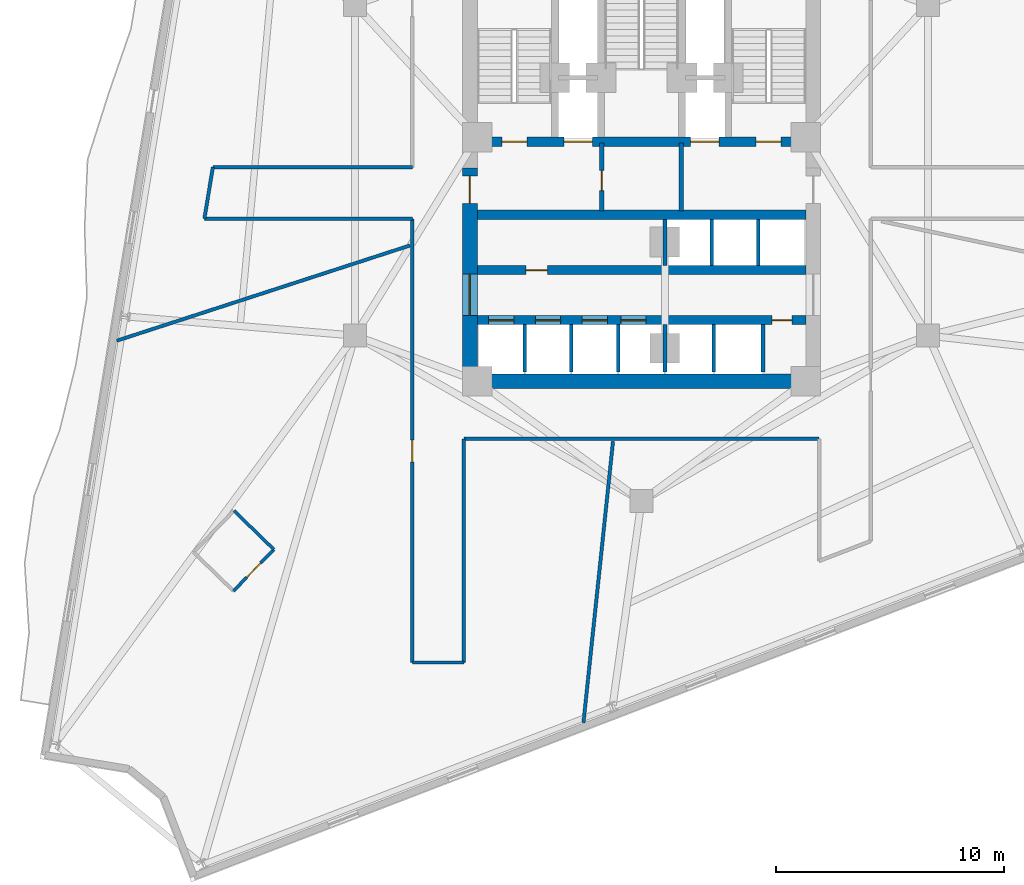
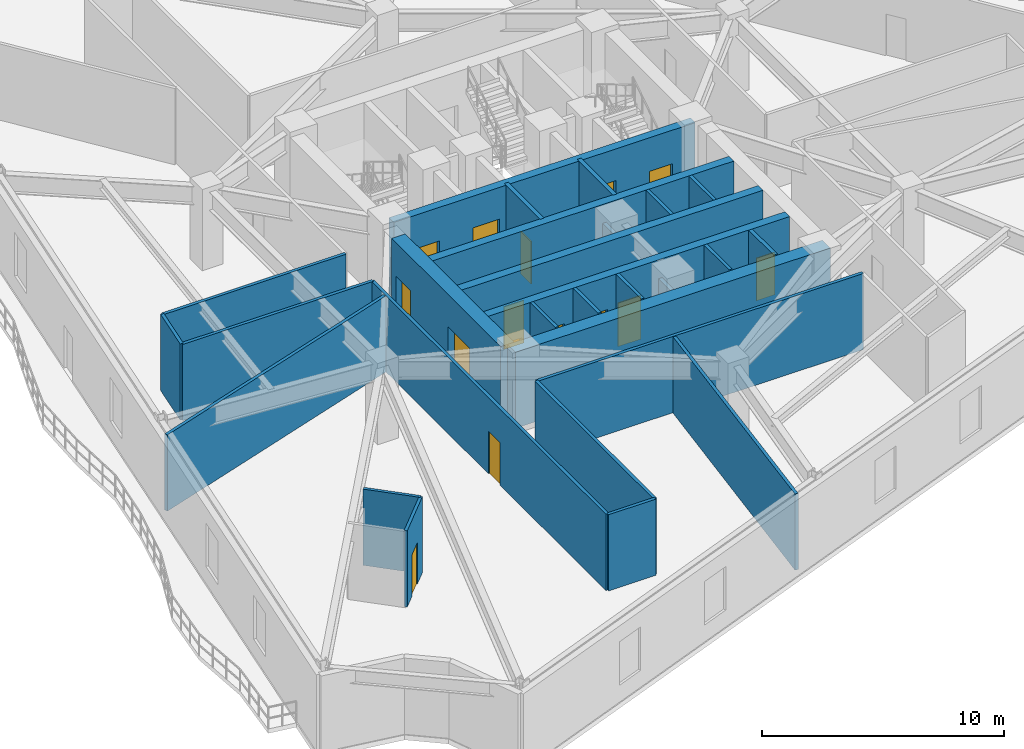
# One storey, part 4 of 10: 28 walls, 15 doors, 15 openings.
"""IFC4 building model written with IfcOpenShell, lengths in metres."""

from ifc_helpers import new_model, si_unit, direction, frame, frame_2d, origin, place, context, subcontext, project, spatial, rectangle, extrude, material, layer, layer_set, type_object, element, fill, save


model = new_model("IFC4")

# Units and contexts
model_context = context("Model", 3, precision=1e-05, world=origin(), true_north=direction((0.0, 1.0)))
body_context = subcontext(model_context, "Body", "Model", "MODEL_VIEW")
ifc_project = project(units=[si_unit("LENGTHUNIT", "METRE"), si_unit("AREAUNIT", "SQUARE_METRE"), si_unit("VOLUMEUNIT", "CUBIC_METRE"), si_unit("PLANEANGLEUNIT", "RADIAN"), si_unit("MASSUNIT", "GRAM", prefix="KILO")], contexts=[model_context])

# Site, building, storey
site_placement = place(None, origin())
site = spatial("IfcSite", under=ifc_project, at=site_placement, CompositionType="ELEMENT")
building_placement = place(site_placement, origin())
building = spatial("IfcBuilding", under=site, at=building_placement, Name="Apsidion Concourse Tower", CompositionType="ELEMENT")
storey_placement = place(building_placement, frame((0.0, 0.0, 152.699951171875)))
storey = spatial("IfcBuildingStorey", under=building, at=storey_placement, Name="L35", CompositionType="ELEMENT", Elevation=152.699951171875)

# Wall, opening, door
ifc_material_1 = material(Name="Gypsum plasterboard partition")
ifc_layer_1 = layer(ifc_material_1, 0.139892578125)
ifc_layer_set_1 = layer_set([ifc_layer_1], Name="Gypsum plasterboard partition")
wall_type_1 = type_object("IfcWallType", Name="WL-INT-PAR-140", PredefinedType="PARTITIONING", material=ifc_layer_set_1)
wall_1_placement = place(storey_placement, frame((-17.889892578125, -18.447021484375, 0.0), z_axis=(0.0, 0.0, 1.0), x_axis=(0.697137410878, 0.71693753588, 0.0)))
wall_1 = element("IfcWall", 1, at=wall_1_placement, inside=storey, type_object=wall_type_1, Name="L35 Interior Partition WL-L35-POD-OFAWC-S3", PredefinedType="PARTITIONING", context=body_context, shape_type="SweptSolid", body=[
    extrude(rectangle(XDim=2.5400390625, YDim=0.139892578125, at=frame_2d((1.27001953125, 0.0))), origin(), (0.0, 0.0, 1.0), 3.85009765625),
])
opening_1_placement = place(wall_1_placement, frame((0.830078125, 0.0, 0.0)))
opening_1 = element("IfcOpeningElement", 2, at=opening_1_placement, cuts=wall_1, Name="Opening D-03R", PredefinedType="OPENING", context=body_context, shape_type="SweptSolid", body=[
    extrude(rectangle(XDim=0.8798828125, YDim=2.10009765625, at=frame_2d((0.43994140625, 1.050048828125))), frame((0.0, 0.080078125, 0.0), z_axis=(0.0, -1.0, 0.0), x_axis=(1.0, 0.0, 0.0)), (0.0, 0.0, 1.0), 0.159912109375),
])
ifc_material_2 = material(Name="Anodised aluminium EN AW-6063 T6", Category="aluminium")
door_type_1 = type_object("IfcDoorType", Name="DR-INT-D03R", OperationType="SINGLE_SWING_RIGHT", PredefinedType="DOOR", material=ifc_material_2)
door_1_placement = place(opening_1_placement, origin())
door_1 = element("IfcDoor", 3, at=door_1_placement, inside=storey, type_object=door_type_1, Name="L35 Office Accessible WC Door OFAWC", OperationType="SINGLE_SWING_RIGHT", OverallHeight=2.10009765625, OverallWidth=0.8798828125, PredefinedType="DOOR", context=body_context, shape_type="SweptSolid", body=[
    extrude(rectangle(XDim=0.8798828125, YDim=2.10009765625, at=frame_2d((0.43994140625, 1.050048828125))), frame((0.0, 0.02490234375, 0.0), z_axis=(0.0, -1.0, 0.0), x_axis=(1.0, 0.0, 0.0)), (0.0, 0.0, 1.0), 0.050048828125),
])
fill(opening_1, door_1)

# Walls
wall_2_placement = place(storey_placement, frame((-16.119140625, -16.6259765625, 0.0), z_axis=(0.0, 0.0, 1.0), x_axis=(-0.716893506895, 0.697182687515, 0.0)))
element("IfcWall", 4, at=wall_2_placement, inside=storey, type_object=wall_type_1, Name="L35 Interior Partition WL-L35-POD-OFAWC-S4", PredefinedType="PARTITIONING", context=body_context, shape_type="SweptSolid", body=[
    extrude(rectangle(XDim=2.440185546875, YDim=0.139892578125, at=frame_2d((1.22021484375, 0.0))), origin(), (0.0, 0.0, 1.0), 3.85009765625),
])
ifc_layer_2 = layer(ifc_material_1, 0.14990234375)
ifc_layer_set_2 = layer_set([ifc_layer_2], Name="Gypsum plasterboard partition")
wall_type_2 = type_object("IfcWallType", Name="WL-INT-PAR-150", PredefinedType="PARTITIONING", material=ifc_layer_set_2)
for number, where, z_axis, x_axis, name in (
    (5, (3.074951171875, -4.179931640625, 0.0), (0.0, 0.0, 1.0), (0.0, 1.0, 0.0), "L35 Interior Partition WL-L35-B3DIV-1"),
    (6, (5.125, -4.179931640625, 0.0), (0.0, 0.0, 1.0), (0.0, 1.0, 0.0), "L35 Interior Partition WL-L35-B3DIV-2"),
):
    element("IfcWall", number, at=place(storey_placement, frame(where, z_axis=z_axis, x_axis=x_axis)), inside=storey, type_object=wall_type_2, Name=name, PredefinedType="PARTITIONING", context=body_context, shape_type="SweptSolid", body=[
        extrude(rectangle(XDim=2.030029296875, YDim=0.14990234375, at=frame_2d((1.01513671875, 0.0))), origin(), (0.0, 0.0, 1.0), 3.85009765625),
    ])
for number, where, z_axis, x_axis, name in (
    (7, (-5.125, -8.85009765625, 0.0), (0.0, 0.0, 1.0), (0.0, 1.0, 0.0), "L35 Interior Partition WL-L35-B2DIV-1"),
    (8, (-3.074951171875, -8.85009765625, 0.0), (0.0, 0.0, 1.0), (0.0, 1.0, 0.0), "L35 Interior Partition WL-L35-B2DIV-2"),
    (9, (-1.02490234375, -8.85009765625, 0.0), (0.0, 0.0, 1.0), (0.0, 1.0, 0.0), "L35 Interior Partition WL-L35-B2DIV-3"),
    (10, (3.175048828125, -8.85009765625, 0.0), (0.0, 0.0, 1.0), (0.0, 1.0, 0.0), "L35 Interior Partition WL-L35-SHDIV-1"),
):
    element("IfcWall", number, at=place(storey_placement, frame(where, z_axis=z_axis, x_axis=x_axis)), inside=storey, type_object=wall_type_2, Name=name, PredefinedType="PARTITIONING", context=body_context, shape_type="SweptSolid", body=[
        extrude(rectangle(XDim=2.080078125, YDim=0.14990234375, at=frame_2d((1.0400390625, 0.0))), origin(), (0.0, 0.0, 1.0), 3.85009765625),
    ])
wall_3_placement = place(storey_placement, frame((7.7900390625, -11.77490234375, 0.0), z_axis=(0.0, 0.0, 1.0), x_axis=(-1.0, 0.0, 0.0)))
element("IfcWall", 11, at=wall_3_placement, inside=storey, type_object=wall_type_2, Name="L35 Interior Partition WL-L35-CORR-03", PredefinedType="PARTITIONING", context=body_context, shape_type="SweptSolid", body=[
    extrude(rectangle(XDim=15.580078125, YDim=0.14990234375, at=frame_2d((7.7900390625, 0.0))), origin(), (0.0, 0.0, 1.0), 3.85009765625),
])
wall_4_placement = place(storey_placement, frame((-7.7900390625, -11.77490234375, 0.0), z_axis=(0.0, 0.0, 1.0), x_axis=(0.0, -1.0, 0.0)))
element("IfcWall", 12, at=wall_4_placement, inside=storey, type_object=wall_type_2, Name="L35 Interior Partition WL-L35-CORR-04", PredefinedType="PARTITIONING", context=body_context, shape_type="SweptSolid", body=[
    extrude(rectangle(XDim=9.80517578125, YDim=0.14990234375, at=frame_2d((4.902587890625, 0.0))), origin(), (0.0, 0.0, 1.0), 3.85009765625),
])
wall_5_placement = place(storey_placement, frame((-7.7900390625, -21.580078125, 0.0), z_axis=(0.0, 0.0, 1.0), x_axis=(-1.0, 0.0, 0.0)))
element("IfcWall", 13, at=wall_5_placement, inside=storey, type_object=wall_type_2, Name="L35 Interior Partition WL-L35-CORR-05", PredefinedType="PARTITIONING", context=body_context, shape_type="SweptSolid", body=[
    extrude(rectangle(XDim=2.260009765625, YDim=0.14990234375, at=frame_2d((1.1298828125, 0.0))), origin(), (0.0, 0.0, 1.0), 3.85009765625),
])

# Wall, opening, door
wall_6_placement = place(storey_placement, frame((-10.050048828125, -21.580078125, 0.0), z_axis=(0.0, 0.0, 1.0), x_axis=(0.0, 1.0, 0.0)))
wall_6 = element("IfcWall", 14, at=wall_6_placement, inside=storey, type_object=wall_type_2, Name="L35 Interior Partition WL-L35-CORR-06", PredefinedType="PARTITIONING", context=body_context, shape_type="SweptSolid", body=[
    extrude(rectangle(XDim=19.4501953125, YDim=0.14990234375, at=frame_2d((9.72509765625, 0.0))), origin(), (0.0, 0.0, 1.0), 3.85009765625),
])
opening_2_placement = place(wall_6_placement, frame((8.794921875, 0.0, 0.0)))
opening_2 = element("IfcOpeningElement", 15, at=opening_2_placement, cuts=wall_6, Name="Opening D-01L", PredefinedType="OPENING", context=body_context, shape_type="SweptSolid", body=[
    extrude(rectangle(XDim=0.949951171875, YDim=2.14990234375, at=frame_2d((0.47509765625, 1.074951171875))), frame((0.0, 0.0849609375, 0.0), z_axis=(0.0, -1.0, 0.0), x_axis=(1.0, 0.0, 0.0)), (0.0, 0.0, 1.0), 0.169921875),
])
ifc_material_3 = material(Name="Brushed stainless steel 316", Category="steel")
door_type_2 = type_object("IfcDoorType", Name="DR-INT-D01L", OperationType="SINGLE_SWING_LEFT", PredefinedType="DOOR", material=ifc_material_3)
door_2_placement = place(opening_2_placement, origin())
door_2 = element("IfcDoor", 16, at=door_2_placement, inside=storey, type_object=door_type_2, Name="L35 Corridor Entry Door 01", OperationType="SINGLE_SWING_LEFT", OverallHeight=2.14990234375, OverallWidth=0.949951171875, PredefinedType="DOOR", context=body_context, shape_type="SweptSolid", body=[
    extrude(rectangle(XDim=0.949951171875, YDim=2.14990234375, at=frame_2d((0.47509765625, 1.074951171875))), frame((0.0, 0.02490234375, 0.0), z_axis=(0.0, -1.0, 0.0), x_axis=(1.0, 0.0, 0.0)), (0.0, 0.0, 1.0), 0.050048828125),
])
fill(opening_2, door_2)

# Walls
wall_7_placement = place(storey_placement, frame((-10.050048828125, -2.1298828125, 0.0), z_axis=(0.0, 0.0, 1.0), x_axis=(-1.0, 0.0, 0.0)))
element("IfcWall", 17, at=wall_7_placement, inside=storey, type_object=wall_type_2, Name="L35 Interior Partition WL-L35-CORR-07", PredefinedType="PARTITIONING", context=body_context, shape_type="SweptSolid", body=[
    extrude(rectangle(XDim=9.1142578125, YDim=0.14990234375, at=frame_2d((4.55712890625, 0.0))), origin(), (0.0, 0.0, 1.0), 3.85009765625),
])
wall_8_placement = place(storey_placement, frame((-19.164306640625, -2.1298828125, 0.0), z_axis=(0.0, 0.0, 1.0), x_axis=(0.161943522339, 0.986800028158, 0.0)))
element("IfcWall", 18, at=wall_8_placement, inside=storey, type_object=wall_type_2, Name="L35 Interior Partition WL-L35-CORR-08", PredefinedType="PARTITIONING", context=body_context, shape_type="SweptSolid", body=[
    extrude(rectangle(XDim=2.2900390625, YDim=0.14990234375, at=frame_2d((1.14501953125, 0.0))), origin(), (0.0, 0.0, 1.0), 3.85009765625),
])
wall_9_placement = place(storey_placement, frame((-18.79345703125, 0.1298828125, 0.0), z_axis=(0.0, 0.0, 1.0), x_axis=(1.0, 0.0, 0.0)))
element("IfcWall", 19, at=wall_9_placement, inside=storey, type_object=wall_type_2, Name="L35 Interior Partition WL-L35-CORR-09", PredefinedType="PARTITIONING", context=body_context, shape_type="SweptSolid", body=[
    extrude(rectangle(XDim=8.743408203125, YDim=0.14990234375, at=frame_2d((4.37158203125, 0.0))), origin(), (0.0, 0.0, 1.0), 3.85009765625),
])
wall_10_placement = place(storey_placement, frame((-10.155029296875, -3.299560546875, 0.0), z_axis=(0.0, 0.0, 1.0), x_axis=(-0.951054655994, -0.309022719735, 0.0)))
element("IfcWall", 20, at=wall_10_placement, inside=storey, type_object=wall_type_2, Name="L35 Interior Partition WL-L35-RAD-03-1", PredefinedType="PARTITIONING", context=body_context, shape_type="SweptSolid", body=[
    extrude(rectangle(XDim=13.506591796875, YDim=0.14990234375, at=frame_2d((6.75341796875, 0.0))), origin(), (0.0, 0.0, 1.0), 3.85009765625),
])
wall_11_placement = place(storey_placement, frame((-1.24853515625, -11.8798828125, 0.0), z_axis=(0.0, 0.0, 1.0), x_axis=(-0.104537323766, -0.994520964052, 0.0)))
element("IfcWall", 21, at=wall_11_placement, inside=storey, type_object=wall_type_2, Name="L35 Interior Partition WL-L35-RAD-04-1", PredefinedType="PARTITIONING", context=body_context, shape_type="SweptSolid", body=[
    extrude(rectangle(XDim=12.41064453125, YDim=0.14990234375, at=frame_2d((6.205322265625, 0.0))), origin(), (0.0, 0.0, 1.0), 3.85009765625),
])
ifc_layer_3 = layer(ifc_material_1, 0.179931640625)
ifc_layer_set_3 = layer_set([ifc_layer_3], Name="Gypsum plasterboard partition")
wall_type_3 = type_object("IfcWallType", Name="WL-INT-PAR-180", PredefinedType="PARTITIONING", material=ifc_layer_set_3)
wall_12_placement = place(storey_placement, frame((1.02490234375, -4.179931640625, 0.0), z_axis=(0.0, 0.0, 1.0), x_axis=(0.0, 1.0, 0.0)))
element("IfcWall", 22, at=wall_12_placement, inside=storey, type_object=wall_type_3, Name="L35 Interior Partition WL-L35-B1END", PredefinedType="PARTITIONING", context=body_context, shape_type="SweptSolid", body=[
    extrude(rectangle(XDim=2.030029296875, YDim=0.179931640625, at=frame_2d((1.01513671875, 0.0))), origin(), (0.0, 0.0, 1.0), 2.89794921875),
])
wall_13_placement = place(storey_placement, frame((1.02490234375, -8.85009765625, 0.0), z_axis=(0.0, 0.0, 1.0), x_axis=(0.0, 1.0, 0.0)))
element("IfcWall", 23, at=wall_13_placement, inside=storey, type_object=wall_type_3, Name="L35 Interior Partition WL-L35-B2END", PredefinedType="PARTITIONING", context=body_context, shape_type="SweptSolid", body=[
    extrude(rectangle(XDim=2.080078125, YDim=0.179931640625, at=frame_2d((1.0400390625, 0.0))), origin(), (0.0, 0.0, 1.0), 2.89794921875),
])
wall_14_placement = place(storey_placement, frame((5.324951171875, -8.85009765625, 0.0), z_axis=(0.0, 0.0, 1.0), x_axis=(0.0, 1.0, 0.0)))
element("IfcWall", 24, at=wall_14_placement, inside=storey, type_object=wall_type_3, Name="L35 Interior Partition WL-L35-SHDIV-2", PredefinedType="PARTITIONING", context=body_context, shape_type="SweptSolid", body=[
    extrude(rectangle(XDim=2.080078125, YDim=0.179931640625, at=frame_2d((1.0400390625, 0.0))), origin(), (0.0, 0.0, 1.0), 3.85009765625),
])

# Wall, opening, door
ifc_layer_4 = layer(ifc_material_1, 0.199951171875)
ifc_layer_set_4 = layer_set([ifc_layer_4], Name="Gypsum plasterboard partition")
wall_type_4 = type_object("IfcWallType", Name="WL-INT-PAR-200", PredefinedType="PARTITIONING", material=ifc_layer_set_4)
wall_15_placement = place(storey_placement, frame((-1.739990234375, -1.780029296875, 0.0), z_axis=(0.0, 0.0, 1.0), x_axis=(0.0, 1.0, 0.0)))
wall_15 = element("IfcWall", 25, at=wall_15_placement, inside=storey, type_object=wall_type_4, Name="L35 Interior Partition WL-L35-FF1-E", PredefinedType="PARTITIONING", context=body_context, shape_type="SweptSolid", body=[
    extrude(rectangle(XDim=2.97998046875, YDim=0.199951171875, at=frame_2d((1.489990234375, 0.0))), origin(), (0.0, 0.0, 1.0), 3.85009765625),
])
opening_3_placement = place(wall_15_placement, frame((0.889892578125, 0.0, 0.0)))
opening_3 = element("IfcOpeningElement", 26, at=opening_3_placement, cuts=wall_15, Name="Opening D-05R", PredefinedType="OPENING", context=body_context, shape_type="SweptSolid", body=[
    extrude(rectangle(XDim=0.8798828125, YDim=2.14990234375, at=frame_2d((0.43994140625, 1.074951171875))), frame((0.0, 0.10986328125, 0.0), z_axis=(0.0, -1.0, 0.0), x_axis=(1.0, 0.0, 0.0)), (0.0, 0.0, 1.0), 0.219970703125),
])
door_type_3 = type_object("IfcDoorType", Name="DR-INT-D05R", OperationType="SINGLE_SWING_RIGHT", PredefinedType="DOOR", material=ifc_material_3)
door_3_placement = place(opening_3_placement, origin())
door_3 = element("IfcDoor", 27, at=door_3_placement, inside=storey, type_object=door_type_3, Name="L35 Core BMS Door", OperationType="SINGLE_SWING_RIGHT", OverallHeight=2.14990234375, OverallWidth=0.8798828125, PredefinedType="DOOR", context=body_context, shape_type="SweptSolid", body=[
    extrude(rectangle(XDim=0.8798828125, YDim=2.14990234375, at=frame_2d((0.43994140625, 1.074951171875))), frame((0.0, 0.02490234375, 0.0), z_axis=(0.0, -1.0, 0.0), x_axis=(1.0, 0.0, 0.0)), (0.0, 0.0, 1.0), 0.050048828125),
])
fill(opening_3, door_3)

# Wall
wall_16_placement = place(storey_placement, frame((1.739990234375, -1.780029296875, 0.0), z_axis=(0.0, 0.0, 1.0), x_axis=(0.0, 1.0, 0.0)))
element("IfcWall", 28, at=wall_16_placement, inside=storey, type_object=wall_type_4, Name="L35 Interior Partition WL-L35-FF2-W", PredefinedType="PARTITIONING", context=body_context, shape_type="SweptSolid", body=[
    extrude(rectangle(XDim=2.97998046875, YDim=0.199951171875, at=frame_2d((1.489990234375, 0.0))), origin(), (0.0, 0.0, 1.0), 3.85009765625),
])

# Wall, openings, doors
ifc_material_4 = material(Name="Concrete C50/60", Category="concrete")
ifc_layer_5 = layer(ifc_material_4, 0.39990234375)
ifc_layer_set_5 = layer_set([ifc_layer_5], Name="Concrete C50/60")
wall_type_5 = type_object("IfcWallType", Name="WL-SH-400", PredefinedType="SHEAR", material=ifc_layer_set_5)
wall_17_placement = place(storey_placement, frame((-7.199951171875, 1.25, 0.0), z_axis=(0.0, 0.0, 1.0), x_axis=(1.0, 0.0, 0.0)))
wall_17 = element("IfcWall", 29, at=wall_17_placement, inside=storey, type_object=wall_type_5, Name="L35 Central Core Shear Wall M1", PredefinedType="SHEAR", context=body_context, shape_type="SweptSolid", body=[
    extrude(rectangle(XDim=14.39990234375, YDim=0.39990234375, at=frame_2d((7.199951171875, 0.0))), origin(), (0.0, 0.0, 1.0), 3.85009765625),
])
opening_4_placement = place(wall_17_placement, frame((3.794921875, 0.0, 0.0)))
opening_4 = element("IfcOpeningElement", 30, at=opening_4_placement, cuts=wall_17, Name="Opening LD-FF", PredefinedType="OPENING", context=body_context, shape_type="SweptSolid", body=[
    extrude(rectangle(XDim=1.25, YDim=2.25, at=frame_2d((0.625, 1.125))), frame((0.0, 0.2099609375, 0.0), z_axis=(0.0, -1.0, 0.0), x_axis=(1.0, 0.0, 0.0)), (0.0, 0.0, 1.0), 0.419921875),
])
opening_5_placement = place(wall_17_placement, frame((9.35498046875, 0.0, 0.0)))
opening_5 = element("IfcOpeningElement", 31, at=opening_5_placement, cuts=wall_17, Name="Opening LD-FF", PredefinedType="OPENING", context=body_context, shape_type="SweptSolid", body=[
    extrude(rectangle(XDim=1.25, YDim=2.25, at=frame_2d((0.625, 1.125))), frame((0.0, 0.2099609375, 0.0), z_axis=(0.0, -1.0, 0.0), x_axis=(1.0, 0.0, 0.0)), (0.0, 0.0, 1.0), 0.419921875),
])
opening_6_placement = place(wall_17_placement, frame((1.074951171875, 0.0, 0.0)))
opening_6 = element("IfcOpeningElement", 32, at=opening_6_placement, cuts=wall_17, Name="Opening D-STL", PredefinedType="OPENING", context=body_context, shape_type="SweptSolid", body=[
    extrude(rectangle(XDim=1.10009765625, YDim=2.14990234375, at=frame_2d((0.550048828125, 1.074951171875))), frame((0.0, 0.2099609375, 0.0), z_axis=(0.0, -1.0, 0.0), x_axis=(1.0, 0.0, 0.0)), (0.0, 0.0, 1.0), 0.419921875),
])
opening_7_placement = place(wall_17_placement, frame((12.22509765625, 0.0, 0.0)))
opening_7 = element("IfcOpeningElement", 33, at=opening_7_placement, cuts=wall_17, Name="Opening D-STR", PredefinedType="OPENING", context=body_context, shape_type="SweptSolid", body=[
    extrude(rectangle(XDim=1.10009765625, YDim=2.14990234375, at=frame_2d((0.550048828125, 1.074951171875))), frame((0.0, 0.2099609375, 0.0), z_axis=(0.0, -1.0, 0.0), x_axis=(1.0, 0.0, 0.0)), (0.0, 0.0, 1.0), 0.419921875),
])
door_type_4 = type_object("IfcDoorType", Name="DR-INT-ST1L", OperationType="SINGLE_SWING_LEFT", PredefinedType="DOOR", material=ifc_material_3)
door_4_placement = place(opening_6_placement, origin())
door_4 = element("IfcDoor", 34, at=door_4_placement, inside=storey, type_object=door_type_4, Name="L35 Core Exit Stair ST1 Door", OperationType="SINGLE_SWING_LEFT", OverallHeight=2.14990234375, OverallWidth=1.10009765625, PredefinedType="DOOR", context=body_context, shape_type="SweptSolid", body=[
    extrude(rectangle(XDim=1.10009765625, YDim=2.14990234375, at=frame_2d((0.550048828125, 1.074951171875))), frame((0.0, 0.02490234375, 0.0), z_axis=(0.0, -1.0, 0.0), x_axis=(1.0, 0.0, 0.0)), (0.0, 0.0, 1.0), 0.050048828125),
])
fill(opening_6, door_4)
door_type_5 = type_object("IfcDoorType", Name="DR-INT-ST1R", OperationType="SINGLE_SWING_RIGHT", PredefinedType="DOOR", material=ifc_material_3)
door_5_placement = place(opening_7_placement, origin())
door_5 = element("IfcDoor", 35, at=door_5_placement, inside=storey, type_object=door_type_5, Name="L35 Core Exit Stair ST2 Door", OperationType="SINGLE_SWING_RIGHT", OverallHeight=2.14990234375, OverallWidth=1.10009765625, PredefinedType="DOOR", context=body_context, shape_type="SweptSolid", body=[
    extrude(rectangle(XDim=1.10009765625, YDim=2.14990234375, at=frame_2d((0.550048828125, 1.074951171875))), frame((0.0, 0.02490234375, 0.0), z_axis=(0.0, -1.0, 0.0), x_axis=(1.0, 0.0, 0.0)), (0.0, 0.0, 1.0), 0.050048828125),
])
fill(opening_7, door_5)
door_type_6 = type_object("IfcDoorType", Name="DR-LD-FSAE", OperationType="DOUBLE_DOOR_SLIDING", PredefinedType="DOOR", material=ifc_material_3)
door_6_placement = place(opening_4_placement, origin())
door_6 = element("IfcDoor", 36, at=door_6_placement, inside=storey, type_object=door_type_6, Name="L35 Lift Landing Door FF1", OperationType="DOUBLE_DOOR_SLIDING", OverallHeight=2.25, OverallWidth=1.25, PredefinedType="DOOR", context=body_context, shape_type="SweptSolid", body=[
    extrude(rectangle(XDim=1.25, YDim=2.25, at=frame_2d((0.625, 1.125))), frame((0.0, 0.02490234375, 0.0), z_axis=(0.0, -1.0, 0.0), x_axis=(1.0, 0.0, 0.0)), (0.0, 0.0, 1.0), 0.050048828125),
])
fill(opening_4, door_6)
door_7_placement = place(opening_5_placement, origin())
door_7 = element("IfcDoor", 37, at=door_7_placement, inside=storey, type_object=door_type_6, Name="L35 Lift Landing Door FF2", OperationType="DOUBLE_DOOR_SLIDING", OverallHeight=2.25, OverallWidth=1.25, PredefinedType="DOOR", context=body_context, shape_type="SweptSolid", body=[
    extrude(rectangle(XDim=1.25, YDim=2.25, at=frame_2d((0.625, 1.125))), frame((0.0, 0.02490234375, 0.0), z_axis=(0.0, -1.0, 0.0), x_axis=(1.0, 0.0, 0.0)), (0.0, 0.0, 1.0), 0.050048828125),
])
fill(opening_5, door_7)

# Wall
wall_18_placement = place(storey_placement, frame((-7.199951171875, -1.949951171875, 0.0), z_axis=(0.0, 0.0, 1.0), x_axis=(1.0, 0.0, 0.0)))
element("IfcWall", 38, at=wall_18_placement, inside=storey, type_object=wall_type_5, Name="L35 Central Core Shear Wall M2", PredefinedType="SHEAR", context=body_context, shape_type="SweptSolid", body=[
    extrude(rectangle(XDim=14.39990234375, YDim=0.39990234375, at=frame_2d((7.199951171875, 0.0))), origin(), (0.0, 0.0, 1.0), 3.85009765625),
])

# Wall, opening, door
wall_19_placement = place(storey_placement, frame((-7.199951171875, -4.3798828125, 0.0), z_axis=(0.0, 0.0, 1.0), x_axis=(1.0, 0.0, 0.0)))
wall_19 = element("IfcWall", 39, at=wall_19_placement, inside=storey, type_object=wall_type_5, Name="L35 Central Core Shear Wall LA", PredefinedType="SHEAR", context=body_context, shape_type="SweptSolid", body=[
    extrude(rectangle(XDim=14.39990234375, YDim=0.39990234375, at=frame_2d((7.199951171875, 0.0))), origin(), (0.0, 0.0, 1.0), 3.85009765625),
])
opening_8_placement = place(wall_19_placement, frame((2.125, 0.0, 0.0)))
opening_8 = element("IfcOpeningElement", 40, at=opening_8_placement, cuts=wall_19, Name="Opening D-04L", PredefinedType="OPENING", context=body_context, shape_type="SweptSolid", body=[
    extrude(rectangle(XDim=0.949951171875, YDim=2.14990234375, at=frame_2d((0.47509765625, 1.074951171875))), frame((0.0, 0.2099609375, 0.0), z_axis=(0.0, -1.0, 0.0), x_axis=(1.0, 0.0, 0.0)), (0.0, 0.0, 1.0), 0.419921875),
])
door_type_7 = type_object("IfcDoorType", Name="DR-INT-D04L", OperationType="SINGLE_SWING_LEFT", PredefinedType="DOOR", material=ifc_material_3)
door_8_placement = place(opening_8_placement, origin())
door_8 = element("IfcDoor", 41, at=door_8_placement, inside=storey, type_object=door_type_7, Name="L35 Tenant Archive and Print Room Door", OperationType="SINGLE_SWING_LEFT", OverallHeight=2.14990234375, OverallWidth=0.949951171875, PredefinedType="DOOR", context=body_context, shape_type="SweptSolid", body=[
    extrude(rectangle(XDim=0.949951171875, YDim=2.14990234375, at=frame_2d((0.47509765625, 1.074951171875))), frame((0.0, 0.02490234375, 0.0), z_axis=(0.0, -1.0, 0.0), x_axis=(1.0, 0.0, 0.0)), (0.0, 0.0, 1.0), 0.050048828125),
])
fill(opening_8, door_8)

# Wall, openings, doors
wall_20_placement = place(storey_placement, frame((-7.199951171875, -6.570068359375, 0.0), z_axis=(0.0, 0.0, 1.0), x_axis=(1.0, 0.0, 0.0)))
wall_20 = element("IfcWall", 42, at=wall_20_placement, inside=storey, type_object=wall_type_5, Name="L35 Central Core Shear Wall LB", PredefinedType="SHEAR", context=body_context, shape_type="SweptSolid", body=[
    extrude(rectangle(XDim=14.39990234375, YDim=0.39990234375, at=frame_2d((7.199951171875, 0.0))), origin(), (0.0, 0.0, 1.0), 3.85009765625),
])
opening_9_placement = place(wall_20_placement, frame((0.5, 0.0, 0.0)))
opening_9 = element("IfcOpeningElement", 43, at=opening_9_placement, cuts=wall_20, Name="Opening LD-P1", PredefinedType="OPENING", context=body_context, shape_type="SweptSolid", body=[
    extrude(rectangle(XDim=1.10009765625, YDim=2.199951171875, at=frame_2d((0.550048828125, 1.10009765625))), frame((0.0, 0.2099609375, 0.0), z_axis=(0.0, -1.0, 0.0), x_axis=(1.0, 0.0, 0.0)), (0.0, 0.0, 1.0), 0.419921875),
])
opening_10_placement = place(wall_20_placement, frame((2.550048828125, 0.0, 0.0)))
opening_10 = element("IfcOpeningElement", 44, at=opening_10_placement, cuts=wall_20, Name="Opening LD-P1", PredefinedType="OPENING", context=body_context, shape_type="SweptSolid", body=[
    extrude(rectangle(XDim=1.10009765625, YDim=2.199951171875, at=frame_2d((0.550048828125, 1.10009765625))), frame((0.0, 0.2099609375, 0.0), z_axis=(0.0, -1.0, 0.0), x_axis=(1.0, 0.0, 0.0)), (0.0, 0.0, 1.0), 0.419921875),
])
opening_11_placement = place(wall_20_placement, frame((4.60009765625, 0.0, 0.0)))
opening_11 = element("IfcOpeningElement", 45, at=opening_11_placement, cuts=wall_20, Name="Opening LD-P1", PredefinedType="OPENING", context=body_context, shape_type="SweptSolid", body=[
    extrude(rectangle(XDim=1.10009765625, YDim=2.199951171875, at=frame_2d((0.550048828125, 1.10009765625))), frame((0.0, 0.2099609375, 0.0), z_axis=(0.0, -1.0, 0.0), x_axis=(1.0, 0.0, 0.0)), (0.0, 0.0, 1.0), 0.419921875),
])
opening_12_placement = place(wall_20_placement, frame((6.300048828125, 0.0, 0.0)))
opening_12 = element("IfcOpeningElement", 46, at=opening_12_placement, cuts=wall_20, Name="Opening LD-P1", PredefinedType="OPENING", context=body_context, shape_type="SweptSolid", body=[
    extrude(rectangle(XDim=1.10009765625, YDim=2.199951171875, at=frame_2d((0.550048828125, 1.10009765625))), frame((0.0, 0.2099609375, 0.0), z_axis=(0.0, -1.0, 0.0), x_axis=(1.0, 0.0, 0.0)), (0.0, 0.0, 1.0), 0.419921875),
])
opening_13_placement = place(wall_20_placement, frame((12.909912109375, 0.0, 0.0)))
opening_13 = element("IfcOpeningElement", 47, at=opening_13_placement, cuts=wall_20, Name="Opening D-05L", PredefinedType="OPENING", context=body_context, shape_type="SweptSolid", body=[
    extrude(rectangle(XDim=0.8798828125, YDim=2.14990234375, at=frame_2d((0.43994140625, 1.074951171875))), frame((0.0, 0.2099609375, 0.0), z_axis=(0.0, -1.0, 0.0), x_axis=(1.0, 0.0, 0.0)), (0.0, 0.0, 1.0), 0.419921875),
])
door_type_8 = type_object("IfcDoorType", Name="DR-INT-D05L", OperationType="SINGLE_SWING_LEFT", PredefinedType="DOOR", material=ifc_material_3)
door_9_placement = place(opening_13_placement, origin())
door_9 = element("IfcDoor", 48, at=door_9_placement, inside=storey, type_object=door_type_8, Name="L35 Cleaners Store Door", OperationType="SINGLE_SWING_LEFT", OverallHeight=2.14990234375, OverallWidth=0.8798828125, PredefinedType="DOOR", context=body_context, shape_type="SweptSolid", body=[
    extrude(rectangle(XDim=0.8798828125, YDim=2.14990234375, at=frame_2d((0.43994140625, 1.074951171875))), frame((0.0, 0.02490234375, 0.0), z_axis=(0.0, -1.0, 0.0), x_axis=(1.0, 0.0, 0.0)), (0.0, 0.0, 1.0), 0.050048828125),
])
fill(opening_13, door_9)
door_type_9 = type_object("IfcDoorType", Name="DR-LD-PASS", OperationType="DOUBLE_DOOR_SLIDING", PredefinedType="DOOR", material=ifc_material_3)
door_10_placement = place(opening_9_placement, origin())
door_10 = element("IfcDoor", 49, at=door_10_placement, inside=storey, type_object=door_type_9, Name="L35 Lift Landing Door P5", OperationType="DOUBLE_DOOR_SLIDING", OverallHeight=2.199951171875, OverallWidth=1.10009765625, PredefinedType="DOOR", context=body_context, shape_type="SweptSolid", body=[
    extrude(rectangle(XDim=1.10009765625, YDim=2.199951171875, at=frame_2d((0.550048828125, 1.10009765625))), frame((0.0, 0.02490234375, 0.0), z_axis=(0.0, -1.0, 0.0), x_axis=(1.0, 0.0, 0.0)), (0.0, 0.0, 1.0), 0.050048828125),
])
fill(opening_9, door_10)
door_11_placement = place(opening_10_placement, origin())
door_11 = element("IfcDoor", 50, at=door_11_placement, inside=storey, type_object=door_type_9, Name="L35 Lift Landing Door P6", OperationType="DOUBLE_DOOR_SLIDING", OverallHeight=2.199951171875, OverallWidth=1.10009765625, PredefinedType="DOOR", context=body_context, shape_type="SweptSolid", body=[
    extrude(rectangle(XDim=1.10009765625, YDim=2.199951171875, at=frame_2d((0.550048828125, 1.10009765625))), frame((0.0, 0.02490234375, 0.0), z_axis=(0.0, -1.0, 0.0), x_axis=(1.0, 0.0, 0.0)), (0.0, 0.0, 1.0), 0.050048828125),
])
fill(opening_10, door_11)
door_12_placement = place(opening_11_placement, origin())
door_12 = element("IfcDoor", 51, at=door_12_placement, inside=storey, type_object=door_type_9, Name="L35 Lift Landing Door P7", OperationType="DOUBLE_DOOR_SLIDING", OverallHeight=2.199951171875, OverallWidth=1.10009765625, PredefinedType="DOOR", context=body_context, shape_type="SweptSolid", body=[
    extrude(rectangle(XDim=1.10009765625, YDim=2.199951171875, at=frame_2d((0.550048828125, 1.10009765625))), frame((0.0, 0.02490234375, 0.0), z_axis=(0.0, -1.0, 0.0), x_axis=(1.0, 0.0, 0.0)), (0.0, 0.0, 1.0), 0.050048828125),
])
fill(opening_11, door_12)
door_13_placement = place(opening_12_placement, origin())
door_13 = element("IfcDoor", 52, at=door_13_placement, inside=storey, type_object=door_type_9, Name="L35 Lift Landing Door P8", OperationType="DOUBLE_DOOR_SLIDING", OverallHeight=2.199951171875, OverallWidth=1.10009765625, PredefinedType="DOOR", context=body_context, shape_type="SweptSolid", body=[
    extrude(rectangle(XDim=1.10009765625, YDim=2.199951171875, at=frame_2d((0.550048828125, 1.10009765625))), frame((0.0, 0.02490234375, 0.0), z_axis=(0.0, -1.0, 0.0), x_axis=(1.0, 0.0, 0.0)), (0.0, 0.0, 1.0), 0.050048828125),
])
fill(opening_12, door_13)

ifc_layer_6 = layer(ifc_material_4, 0.64990234375)
ifc_layer_set_6 = layer_set([ifc_layer_6], Name="Concrete C50/60")
wall_type_6 = type_object("IfcWallType", Name="WL-SH-650", PredefinedType="SHEAR", material=ifc_layer_set_6)
wall_21_placement = place(storey_placement, frame((-7.52490234375, -8.925048828125, 0.0), z_axis=(0.0, 0.0, 1.0), x_axis=(0.0, 1.0, 0.0)))
wall_21 = element("IfcWall", 53, at=wall_21_placement, inside=storey, type_object=wall_type_6, Name="L35 Central Core Shear Wall WS", PredefinedType="SHEAR", context=body_context, shape_type="SweptSolid", body=[
    extrude(rectangle(XDim=9.025146484375, YDim=0.64990234375, at=frame_2d((4.5126953125, 0.0))), origin(), (0.0, 0.0, 1.0), 3.85009765625),
])
opening_14_placement = place(wall_21_placement, frame((2.56494140625, 0.0, 0.0)))
opening_14 = element("IfcOpeningElement", 54, at=opening_14_placement, cuts=wall_21, Name="Opening D-06D", PredefinedType="OPENING", context=body_context, shape_type="SweptSolid", body=[
    extrude(rectangle(XDim=1.800048828125, YDim=2.199951171875, at=frame_2d((0.89990234375, 1.10009765625))), frame((0.0, 0.3349609375, 0.0), z_axis=(0.0, -1.0, 0.0), x_axis=(1.0, 0.0, 0.0)), (0.0, 0.0, 1.0), 0.669921875),
])
opening_15_placement = place(wall_21_placement, frame((7.47509765625, 0.0, 0.0)))
opening_15 = element("IfcOpeningElement", 55, at=opening_15_placement, cuts=wall_21, Name="Opening D-FFL", PredefinedType="OPENING", context=body_context, shape_type="SweptSolid", body=[
    extrude(rectangle(XDim=1.199951171875, YDim=2.14990234375, at=frame_2d((0.60009765625, 1.074951171875))), frame((0.0, 0.3349609375, 0.0), z_axis=(0.0, -1.0, 0.0), x_axis=(1.0, 0.0, 0.0)), (0.0, 0.0, 1.0), 0.669921875),
])
door_type_10 = type_object("IfcDoorType", Name="DR-INT-D06D", OperationType="DOUBLE_DOOR_SINGLE_SWING", PredefinedType="DOOR", material=ifc_material_3)
door_14_placement = place(opening_14_placement, origin())
door_14 = element("IfcDoor", 56, at=door_14_placement, inside=storey, type_object=door_type_10, Name="L35 Passenger Lift Lobby WS Portal Door", OperationType="DOUBLE_DOOR_SINGLE_SWING", OverallHeight=2.199951171875, OverallWidth=1.800048828125, PredefinedType="DOOR", context=body_context, shape_type="SweptSolid", body=[
    extrude(rectangle(XDim=1.800048828125, YDim=2.199951171875, at=frame_2d((0.89990234375, 1.10009765625))), frame((0.0, 0.02490234375, 0.0), z_axis=(0.0, -1.0, 0.0), x_axis=(1.0, 0.0, 0.0)), (0.0, 0.0, 1.0), 0.050048828125),
])
fill(opening_14, door_14)
door_type_11 = type_object("IfcDoorType", Name="DR-INT-FFL", OperationType="SINGLE_SWING_LEFT", PredefinedType="DOOR", material=ifc_material_3)
door_15_placement = place(opening_15_placement, origin())
door_15 = element("IfcDoor", 57, at=door_15_placement, inside=storey, type_object=door_type_11, Name="L35 Firefighting Lift Lobby FF1 Door", OperationType="SINGLE_SWING_LEFT", OverallHeight=2.14990234375, OverallWidth=1.199951171875, PredefinedType="DOOR", context=body_context, shape_type="SweptSolid", body=[
    extrude(rectangle(XDim=1.199951171875, YDim=2.14990234375, at=frame_2d((0.60009765625, 1.074951171875))), frame((0.0, 0.02490234375, 0.0), z_axis=(0.0, -1.0, 0.0), x_axis=(1.0, 0.0, 0.0)), (0.0, 0.0, 1.0), 0.050048828125),
])
fill(opening_15, door_15)

# Wall
wall_22_placement = place(storey_placement, frame((-7.52490234375, -9.25, 0.0), z_axis=(0.0, 0.0, 1.0), x_axis=(1.0, 0.0, 0.0)))
element("IfcWall", 58, at=wall_22_placement, inside=storey, type_object=wall_type_6, Name="L35 Central Core Shear Wall S", PredefinedType="SHEAR", context=body_context, shape_type="SweptSolid", body=[
    extrude(rectangle(XDim=15.0498046875, YDim=0.64990234375, at=frame_2d((7.52490234375, 0.0))), origin(), (0.0, 0.0, 1.0), 3.85009765625),
])

save(model, "model.ifc")
